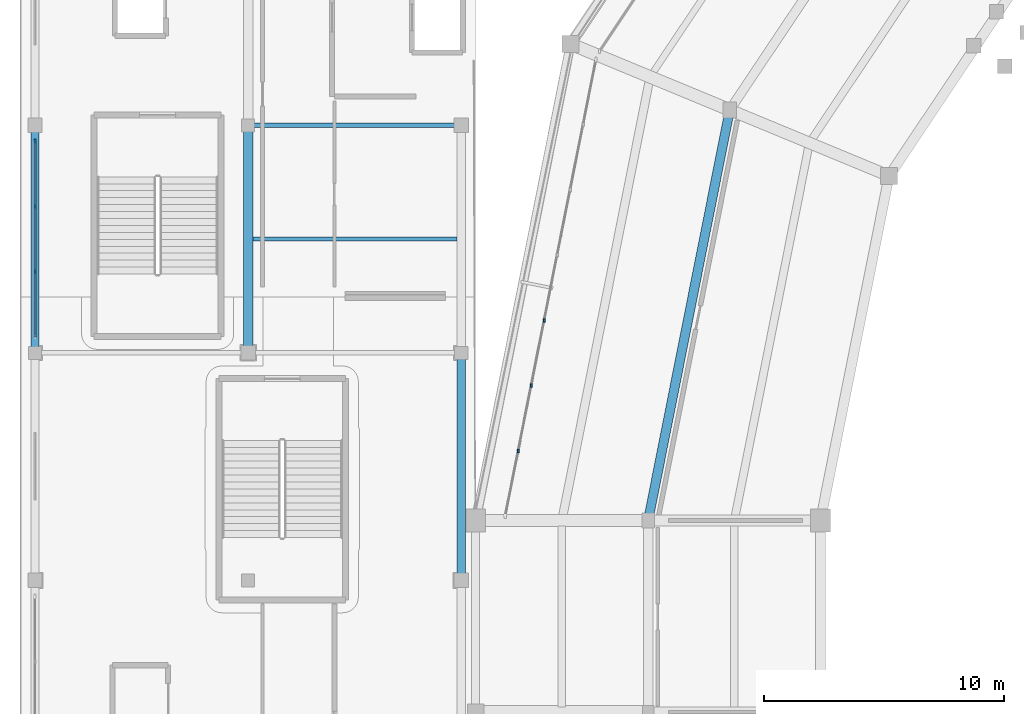
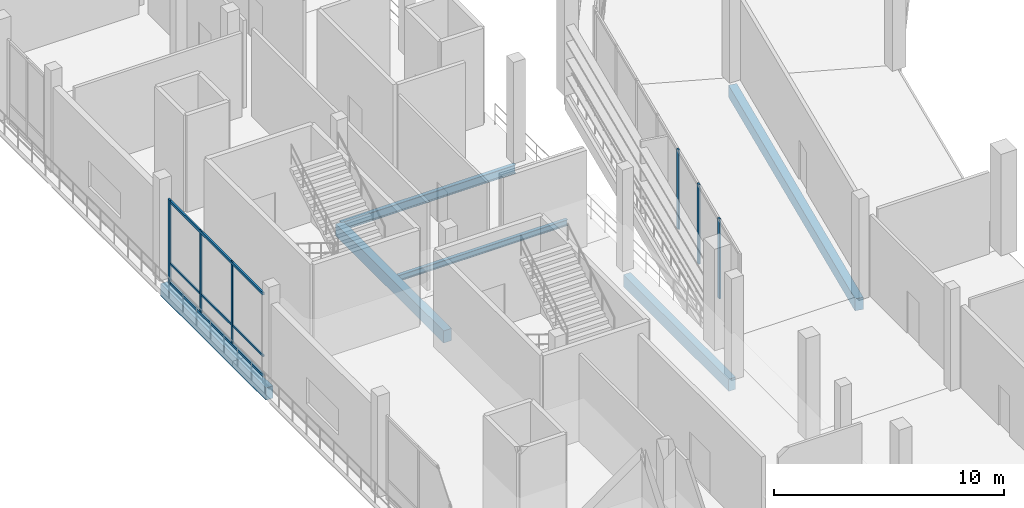
# One storey, part 26 of 111: 9 members, 6 beams, 2 elements without a shape of their own.
"""IFC4 building model written with IfcOpenShell, lengths in metres."""

from ifc_helpers import new_model, si_unit, direction, frame, origin, origin_2d, place, context, subcontext, project, spatial, rectangle, i_section, extrude, material, material_profile, profile_set, type_object, element, aggregate, save


model = new_model("IFC4")

# Units and contexts
model_context = context("Model", 3, precision=1e-05, world=origin(), true_north=direction((0.0, 1.0)))
body_context = subcontext(model_context, "Body", "Model", "MODEL_VIEW")
ifc_project = project(units=[si_unit("LENGTHUNIT", "METRE"), si_unit("AREAUNIT", "SQUARE_METRE"), si_unit("VOLUMEUNIT", "CUBIC_METRE"), si_unit("PLANEANGLEUNIT", "RADIAN"), si_unit("MASSUNIT", "GRAM", prefix="KILO")], contexts=[model_context])

# Site, building, storey
site_placement = place(None, origin())
site = spatial("IfcSite", under=ifc_project, at=site_placement, CompositionType="ELEMENT")
building_placement = place(site_placement, origin())
building = spatial("IfcBuilding", under=site, at=building_placement, Name="Candeia Ridge Stadium", CompositionType="ELEMENT")
storey_placement = place(building_placement, frame((0.0, 0.0, 16.199951171875)))
storey = spatial("IfcBuildingStorey", under=building, at=storey_placement, Name="L03", CompositionType="ELEMENT", Elevation=16.199951171875)

# Curtain wall, member
ifc_material_1 = material(Name="Aluminium Anodized Warm Bronze", Category="aluminium")
curtain_wall_type_1 = type_object("IfcCurtainWallType", Name="West Pavilion Hospitality Curtain Wall", PredefinedType="NOTDEFINED", material=ifc_material_1)
curtain_wall_1_placement = place(storey_placement, origin())
curtain_wall_1 = element("IfcCurtainWall", 1, at=curtain_wall_1_placement, inside=storey, type_object=curtain_wall_type_1, Name="Unitised curtain wall CW-WNG-L03-091", PredefinedType="NOTDEFINED")
ifc_material_profile_1 = material_profile(ifc_material_1, rectangle(XDim=0.090087890625, YDim=0.179931640625, at=origin_2d()), Name="CWM-90x180", Category="aluminium")
ifc_profile_set_1 = profile_set([ifc_material_profile_1], Name="Aluminium Anodized Warm Bronze")
member_type_1 = type_object("IfcMemberType", Name="Curtain Wall Primary Mullion 90x180", PredefinedType="MULLION", material=ifc_profile_set_1)
member_1_placement = place(storey_placement, frame((0.60009765625, 110.840087890625, 0.0), z_axis=(0.0, 0.0, 1.0), x_axis=(1.0, 0.0, 0.0)))
member_1 = element("IfcMember", 2, at=member_1_placement, type_object=member_type_1, Name="Curtain wall mullion CW-WNG-L03-091-M3", PredefinedType="MULLION", context=body_context, shape_type="SweptSolid", body=[
    extrude(rectangle(XDim=0.090087890625, YDim=0.179931640625, at=origin_2d()), origin(), (0.0, 0.0, 1.0), 4.47509765625),
])

# Curtain wall, members
curtain_wall_type_2 = type_object("IfcCurtainWallType", Name="Concourse Recessed Unitised Curtain Wall", PredefinedType="NOTDEFINED", material=ifc_material_1)
curtain_wall_2_placement = place(storey_placement, origin())
curtain_wall_2 = element("IfcCurtainWall", 3, at=curtain_wall_2_placement, inside=storey, type_object=curtain_wall_type_2, Name="Unitised curtain wall CW-BWL-L03-10", PredefinedType="NOTDEFINED")
ifc_material_profile_2 = material_profile(ifc_material_1, rectangle(XDim=0.074951171875, YDim=0.14990234375, at=origin_2d()), Name="CWM-75x150", Category="aluminium")
ifc_profile_set_2 = profile_set([ifc_material_profile_2], Name="Aluminium Anodized Warm Bronze")
member_type_2 = type_object("IfcMemberType", Name="Curtain Wall Secondary Mullion 75x150", PredefinedType="MULLION", material=ifc_profile_set_2)
member_2_placement = place(storey_placement, frame((21.8623046875, 103.356689453125, 0.0), z_axis=(0.0, 0.0, 1.0), x_axis=(1.0, 0.0, 0.0)))
member_2 = element("IfcMember", 4, at=member_2_placement, type_object=member_type_2, Name="Curtain wall mullion CW-BWL-L03-10-M4", PredefinedType="MULLION", context=body_context, shape_type="SweptSolid", body=[
    extrude(rectangle(XDim=0.074951171875, YDim=0.14990234375, at=origin_2d()), origin(), (0.0, 0.0, 1.0), 4.2451171875),
])
member_3_placement = place(storey_placement, frame((21.31982421875, 100.6298828125, 0.0), z_axis=(0.0, 0.0, 1.0), x_axis=(1.0, 0.0, 0.0)))
member_3 = element("IfcMember", 5, at=member_3_placement, type_object=member_type_2, Name="Curtain wall mullion CW-BWL-L03-10-M5", PredefinedType="MULLION", context=body_context, shape_type="SweptSolid", body=[
    extrude(rectangle(XDim=0.074951171875, YDim=0.14990234375, at=origin_2d()), origin(), (0.0, 0.0, 1.0), 4.2451171875),
])
member_4_placement = place(storey_placement, frame((20.777587890625, 97.9033203125, 0.0), z_axis=(0.0, 0.0, 1.0), x_axis=(1.0, 0.0, 0.0)))
member_4 = element("IfcMember", 6, at=member_4_placement, type_object=member_type_2, Name="Curtain wall mullion CW-BWL-L03-10-M6", PredefinedType="MULLION", context=body_context, shape_type="SweptSolid", body=[
    extrude(rectangle(XDim=0.074951171875, YDim=0.14990234375, at=origin_2d()), origin(), (0.0, 0.0, 1.0), 4.2451171875),
])
aggregate(curtain_wall_2, [member_2, member_3, member_4])

# Member
member_5_placement = place(storey_placement, frame((0.60009765625, 105.38671875, 0.0), z_axis=(0.0, 0.0, 1.0), x_axis=(1.0, 0.0, 0.0)))
member_5 = element("IfcMember", 7, at=member_5_placement, type_object=member_type_2, Name="Curtain wall mullion CW-WNG-L03-091-M1", PredefinedType="MULLION", context=body_context, shape_type="SweptSolid", body=[
    extrude(rectangle(XDim=0.074951171875, YDim=0.14990234375, at=origin_2d()), origin(), (0.0, 0.0, 1.0), 4.47509765625),
])

member_6_placement = place(storey_placement, frame((0.60009765625, 108.11328125, 0.0), z_axis=(0.0, 0.0, 1.0), x_axis=(1.0, 0.0, 0.0)))
member_6 = element("IfcMember", 8, at=member_6_placement, type_object=member_type_2, Name="Curtain wall mullion CW-WNG-L03-091-M2", PredefinedType="MULLION", context=body_context, shape_type="SweptSolid", body=[
    extrude(rectangle(XDim=0.074951171875, YDim=0.14990234375, at=origin_2d()), origin(), (0.0, 0.0, 1.0), 4.47509765625),
])

ifc_material_profile_3 = material_profile(ifc_material_1, rectangle(XDim=0.074951171875, YDim=0.110107421875, at=origin_2d()), Name="CWT-75x110", Category="aluminium")
ifc_profile_set_3 = profile_set([ifc_material_profile_3], Name="Aluminium Anodized Warm Bronze")
member_type_3 = type_object("IfcMemberType", Name="Curtain Wall Secondary Transom 75x110", PredefinedType="USERDEFINED", material=ifc_profile_set_3)
member_7_placement = place(storey_placement, frame((0.60009765625, 102.659912109375, 1.10009765625), z_axis=(0.0, 1.0, 0.0), x_axis=(-1.0, 0.0, 0.0)))
member_7 = element("IfcMember", 9, at=member_7_placement, type_object=member_type_3, Name="Curtain wall transom CW-WNG-L03-091-T1", ObjectType="TRANSOM", PredefinedType="USERDEFINED", context=body_context, shape_type="SweptSolid", body=[
    extrude(rectangle(XDim=0.074951171875, YDim=0.110107421875, at=origin_2d()), origin(), (0.0, 0.0, 1.0), 8.18017578125),
])

ifc_material_profile_4 = material_profile(ifc_material_1, rectangle(XDim=0.090087890625, YDim=0.139892578125, at=origin_2d()), Name="CWT-90x140", Category="aluminium")
ifc_profile_set_4 = profile_set([ifc_material_profile_4], Name="Aluminium Anodized Warm Bronze")
member_type_4 = type_object("IfcMemberType", Name="Curtain Wall Transom 90x140", PredefinedType="USERDEFINED", material=ifc_profile_set_4)
member_8_placement = place(storey_placement, frame((0.60009765625, 102.659912109375, 0.070068359375), z_axis=(0.0, 1.0, 0.0), x_axis=(-1.0, 0.0, 0.0)))
member_8 = element("IfcMember", 10, at=member_8_placement, type_object=member_type_4, Name="Curtain wall transom CW-WNG-L03-091-T0", ObjectType="TRANSOM", PredefinedType="USERDEFINED", context=body_context, shape_type="SweptSolid", body=[
    extrude(rectangle(XDim=0.090087890625, YDim=0.139892578125, at=origin_2d()), origin(), (0.0, 0.0, 1.0), 8.18017578125),
])

member_9_placement = place(storey_placement, frame((0.60009765625, 102.659912109375, 4.405029296875), z_axis=(0.0, 1.0, 0.0), x_axis=(-1.0, 0.0, 0.0)))
member_9 = element("IfcMember", 11, at=member_9_placement, type_object=member_type_4, Name="Curtain wall transom CW-WNG-L03-091-T2", ObjectType="TRANSOM", PredefinedType="USERDEFINED", context=body_context, shape_type="SweptSolid", body=[
    extrude(rectangle(XDim=0.090087890625, YDim=0.139892578125, at=origin_2d()), origin(), (0.0, 0.0, 1.0), 8.18017578125),
])

aggregate(curtain_wall_1, [member_5, member_6, member_1, member_8, member_7, member_9])

# Beams
ifc_material_2 = material(Name="Concrete C40/50", Category="concrete")
ifc_material_profile_5 = material_profile(ifc_material_2, rectangle(XDim=0.389892578125, YDim=0.639892578125, at=origin_2d()), Name="RC390x640", Category="concrete")
ifc_profile_set_5 = profile_set([ifc_material_profile_5], Name="Concrete C40/50")
beam_type_1 = type_object("IfcBeamType", Name="Frame Girder RC390x640", PredefinedType="BEAM", material=ifc_profile_set_5)
beam_1_placement = place(storey_placement, frame((29.5791015625, 111.9873046875, -0.570068359375), z_axis=(-0.195098234154, -0.980783706548, 0.0), x_axis=(0.980783706548, -0.195098234154, 0.0)))
element("IfcBeam", 12, at=beam_1_placement, inside=storey, type_object=beam_type_1, Name="Concourse spine girder BM-L03-0599", PredefinedType="BEAM", context=body_context, shape_type="SweptSolid", body=[
    extrude(rectangle(XDim=0.389892578125, YDim=0.639892578125, at=origin_2d()), origin(), (0.0, 0.0, 1.0), 17.16015625),
])
ifc_material_3 = material(Name="Steel ASTM A572 Grade 50", Category="steel")
ifc_material_profile_6 = material_profile(ifc_material_3, i_section(OverallWidth=0.1669921875, OverallDepth=0.31689453125, WebThickness=0.007568359375, FlangeThickness=0.01318359375, FilletRadius=0.011962890625, at=origin_2d()), Name="W310x52", Category="steel")
ifc_profile_set_6 = profile_set([ifc_material_profile_6], Name="Steel ASTM A572 Grade 50")
beam_type_2 = type_object("IfcBeamType", Name="Pavilion Secondary Joist W310x52", PredefinedType="JOIST", material=ifc_profile_set_6)
beam_2_placement = place(storey_placement, frame((9.699462890625, 106.75, -0.408447265625), z_axis=(1.0, 0.0, 0.0), x_axis=(0.0, 1.0, 0.0)))
element("IfcBeam", 13, at=beam_2_placement, inside=storey, type_object=beam_type_2, Name="Wing secondary joist BM-L03-1264", PredefinedType="JOIST", context=body_context, shape_type="SweptSolid", body=[
    extrude(i_section(OverallWidth=0.1669921875, OverallDepth=0.31689453125, WebThickness=0.007568359375, FlangeThickness=0.01318359375, FilletRadius=0.011962890625, at=origin_2d()), origin(), (0.0, 0.0, 1.0), 8.526123046875),
])
ifc_material_profile_7 = material_profile(ifc_material_3, i_section(OverallWidth=0.18994140625, OverallDepth=0.45703125, WebThickness=0.009033203125, FlangeThickness=0.014404296875, FilletRadius=0.012939453125, at=origin_2d()), Name="W460x74", Category="steel")
ifc_profile_set_7 = profile_set([ifc_material_profile_7], Name="Steel ASTM A572 Grade 50")
beam_type_3 = type_object("IfcBeamType", Name="Pavilion Steel Girder W460x74", PredefinedType="BEAM", material=ifc_profile_set_7)
beam_3_placement = place(storey_placement, frame((9.550048828125, 111.5, -0.478515625), z_axis=(1.0, 0.0, 0.0), x_axis=(0.0, 1.0, 0.0)))
element("IfcBeam", 14, at=beam_3_placement, inside=storey, type_object=beam_type_3, Name="Structural girder BM-L03-1265", PredefinedType="BEAM", context=body_context, shape_type="SweptSolid", body=[
    extrude(i_section(OverallWidth=0.18994140625, OverallDepth=0.45703125, WebThickness=0.009033203125, FlangeThickness=0.014404296875, FilletRadius=0.012939453125, at=origin_2d()), origin(), (0.0, 0.0, 1.0), 8.800048828125),
])
ifc_material_profile_8 = material_profile(ifc_material_2, rectangle(XDim=0.35009765625, YDim=0.64990234375, at=origin_2d()), Name="RC350x650", Category="concrete")
ifc_profile_set_8 = profile_set([ifc_material_profile_8], Name="Concrete C40/50")
beam_type_4 = type_object("IfcBeamType", Name="Spandrel Beam RC350x650", PredefinedType="SPANDREL", material=ifc_profile_set_8)
for number, where, z_axis, x_axis, name in (
    (15, (0.60009765625, 102.159912109375, -0.574951171875), (0.0, 1.0, 0.0), (-1.0, 0.0, 0.0), "Structural girder BM-L03-1202"),
    (16, (18.39990234375, 92.659912109375, -0.574951171875), (0.0, 1.0, 0.0), (-1.0, 0.0, 0.0), "Structural girder BM-L03-1226"),
):
    element("IfcBeam", number, at=place(storey_placement, frame(where, z_axis=z_axis, x_axis=x_axis)), inside=storey, type_object=beam_type_4, Name=name, PredefinedType="SPANDREL", context=body_context, shape_type="SweptSolid", body=[
        extrude(rectangle(XDim=0.35009765625, YDim=0.64990234375, at=origin_2d()), origin(), (0.0, 0.0, 1.0), 9.18017578125),
    ])
ifc_material_profile_9 = material_profile(ifc_material_2, rectangle(XDim=0.39990234375, YDim=0.64990234375, at=origin_2d()), Name="RC400x650", Category="concrete")
ifc_profile_set_9 = profile_set([ifc_material_profile_9], Name="Concrete C40/50")
beam_type_5 = type_object("IfcBeamType", Name="Wing Primary Girder RC400x650", PredefinedType="BEAM", material=ifc_profile_set_9)
beam_4_placement = place(storey_placement, frame((9.5, 102.050048828125, -0.574951171875), z_axis=(0.0, 1.0, 0.0), x_axis=(-1.0, 0.0, 0.0)))
element("IfcBeam", 17, at=beam_4_placement, inside=storey, type_object=beam_type_5, Name="Structural girder BM-L03-1214", PredefinedType="BEAM", context=body_context, shape_type="SweptSolid", body=[
    extrude(rectangle(XDim=0.39990234375, YDim=0.64990234375, at=origin_2d()), origin(), (0.0, 0.0, 1.0), 9.39990234375),
])

save(model, "model.ifc")
